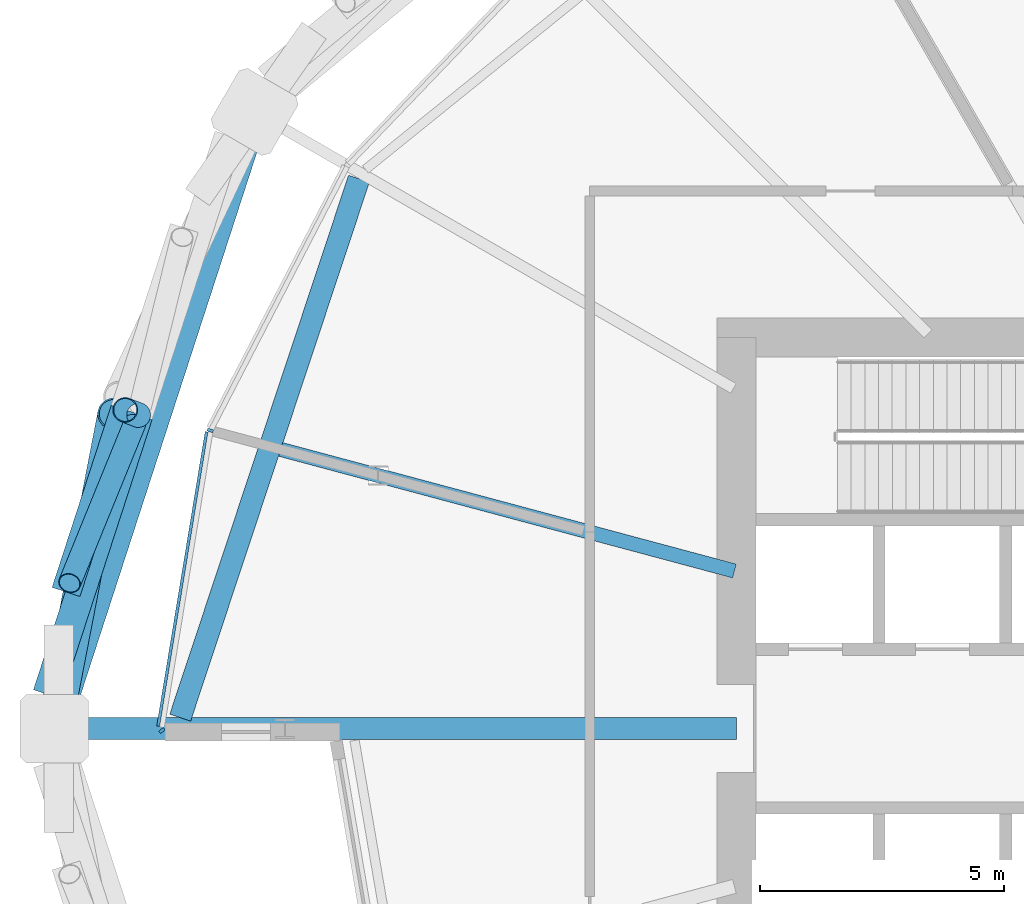
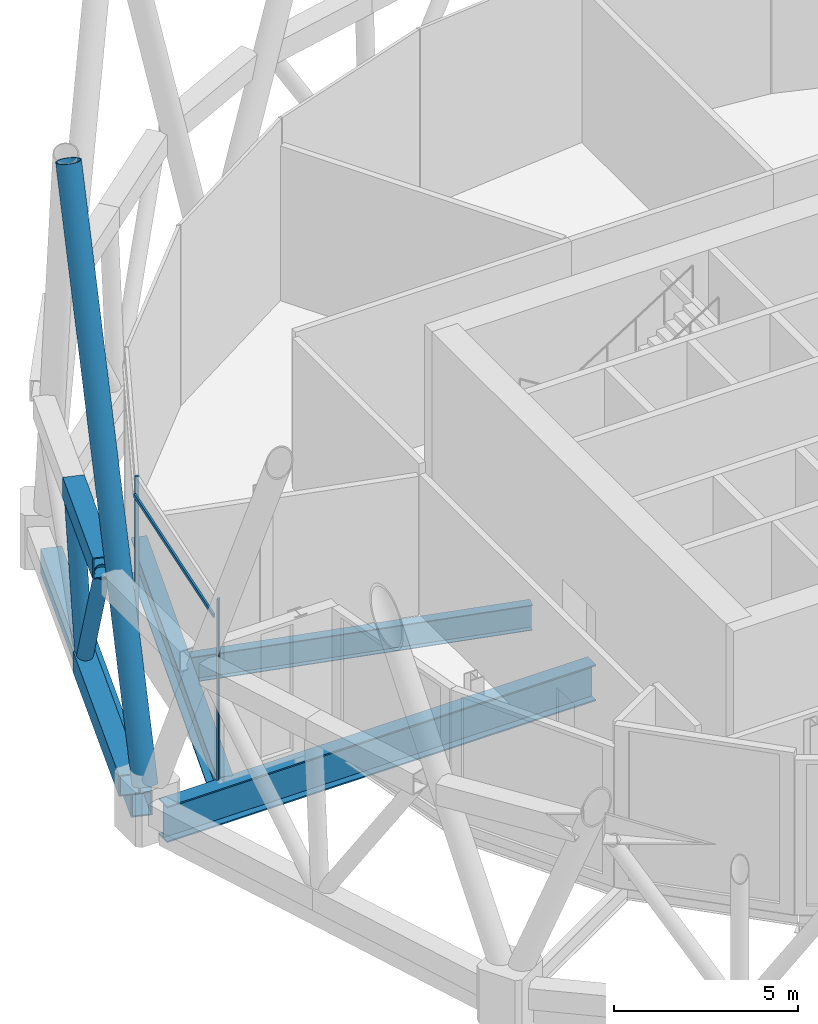
# One storey, part 6 of 33: 8 members, 4 beams, 1 element without a shape of its own.
"""IFC4 building model written with IfcOpenShell, lengths in metres."""

import ifcopenshell
import ifcopenshell.guid

model = None  # the IFC model being written
_history = None  # IfcOwnerHistory: only IFC2X3 demands one
_inside = {}  # id of a spatial element -> (the spatial element, [elements in it])
_under = {}  # id of a project, library or spatial element -> (it, [spatial elements below it])
_declared = {}  # id of a project -> (the project, [libraries it declares])
_typed = {}  # id of a type object -> (the type object, [elements of that type])
_made_of = {}  # id of a material, layer set ... -> (it, [elements and type objects made of it])


def new_model(schema):
    """Start an empty IFC model of exactly this schema.

    Asked for "IFC4X3", IfcOpenShell would pick the latest addendum, in which some entities
    have other attributes; the version numbers below select the first issue.
    IFC2X3 requires an IfcOwnerHistory on every rooted entity: one is made here for all.
    """
    global model, _history
    if schema == "IFC4X3":
        model = ifcopenshell.file(schema_version=(4, 3, 0, 0))
    else:
        model = ifcopenshell.file(schema=schema)
    _inside.clear()
    _under.clear()
    _declared.clear()
    _typed.clear()
    _made_of.clear()
    _history = None
    if model.schema == "IFC2X3":
        org = make("IfcOrganization", Name="unknown")
        user = make(
            "IfcPersonAndOrganization",
            ThePerson=make("IfcPerson", FamilyName="unknown"),
            TheOrganization=org,
        )
        app = make(
            "IfcApplication",
            ApplicationDeveloper=org,
            Version="unknown",
            ApplicationFullName="unknown",
            ApplicationIdentifier="unknown",
        )
        _history = make(
            "IfcOwnerHistory",
            OwningUser=user,
            OwningApplication=app,
            ChangeAction="ADDED",
            CreationDate=0,
        )
    return model


def make(cls, **values):
    """One entity of the class cls with the attributes given. An attribute that is None is left unset."""
    return model.create_entity(
        cls, **{name: value for name, value in values.items() if value is not None}
    )


def rooted(cls, **values):
    """An entity with a GlobalId (a new one), such as an element, a storey or a relation."""
    return make(cls, GlobalId=ifcopenshell.guid.new(), OwnerHistory=_history, **values)


def si_unit(unit_type, name, prefix=None):
    """IfcSIUnit, for example si_unit("LENGTHUNIT", "METRE", prefix="MILLI")."""
    return make("IfcSIUnit", UnitType=unit_type, Prefix=prefix, Name=name)


def assignment(units):
    """IfcUnitAssignment: the units of a project."""
    return None if units is None else make("IfcUnitAssignment", Units=units)


def point(xyz):
    """IfcCartesianPoint."""
    return None if xyz is None else make("IfcCartesianPoint", Coordinates=xyz)


def direction(xyz):
    """IfcDirection."""
    return None if xyz is None else make("IfcDirection", DirectionRatios=xyz)


def frame(location, z_axis=None, x_axis=None):
    """IfcAxis2Placement3D, a coordinate frame: its origin and axes. An axis left out is left unset."""
    return make(
        "IfcAxis2Placement3D",
        Location=point(location),
        Axis=direction(z_axis),
        RefDirection=direction(x_axis),
    )


def frame_2d(location, x_axis=None):
    """IfcAxis2Placement2D, a coordinate frame in the plane: its origin and x axis."""
    return make(
        "IfcAxis2Placement2D", Location=point(location), RefDirection=direction(x_axis)
    )


def origin():
    """The frame at (0, 0, 0) with its axes left unset."""
    return frame((0.0, 0.0, 0.0))


def origin_2d():
    """The frame at (0, 0) in the plane with its x axis left unset."""
    return frame_2d((0.0, 0.0))


def place(relative_to, where):
    """IfcLocalPlacement: puts the frame where relative to a parent placement (None: the world)."""
    return make(
        "IfcLocalPlacement", PlacementRelTo=relative_to, RelativePlacement=where
    )


def context(
    kind, dimensions, precision=None, world=None, true_north=None, identifier=None
):
    """IfcGeometricRepresentationContext, for example the 3D "Model" context."""
    return make(
        "IfcGeometricRepresentationContext",
        ContextIdentifier=identifier,
        ContextType=kind,
        CoordinateSpaceDimension=dimensions,
        Precision=precision,
        WorldCoordinateSystem=world,
        TrueNorth=true_north,
    )


def subcontext(parent, identifier, kind, view, scale=None):
    """IfcGeometricRepresentationSubContext, for example "Body" below "Model"."""
    return make(
        "IfcGeometricRepresentationSubContext",
        ContextIdentifier=identifier,
        ContextType=kind,
        ParentContext=parent,
        TargetScale=scale,
        TargetView=view,
    )


def project(units=None, contexts=None):
    """IfcProject with its units and contexts."""
    return rooted(
        "IfcProject",
        Name="project",
        RepresentationContexts=contexts,
        UnitsInContext=assignment(units),
    )


def spatial(cls, under=None, at=None, **own):
    """A site, building, storey or space (cls), placed at a placement, below another one or the project."""
    s = rooted(cls, ObjectPlacement=at, **own)
    if under is not None:
        _under.setdefault(under.id(), (under, []))[1].append(s)
    return s


def profile(cls, at=None, kind="AREA", **sizes):
    """A parametric profile (cls). Its sizes go by their IFC names, for example OverallWidth=200.0."""
    return make(cls, ProfileType=kind, Position=at, **sizes)


def rectangle(**sizes):
    """IfcRectangleProfileDef."""
    return profile("IfcRectangleProfileDef", **sizes)


def hollow_rectangle(**sizes):
    """IfcRectangleHollowProfileDef."""
    return profile("IfcRectangleHollowProfileDef", **sizes)


def hollow_circle(**sizes):
    """IfcCircleHollowProfileDef."""
    return profile("IfcCircleHollowProfileDef", **sizes)


def i_section(**sizes):
    """IfcIShapeProfileDef."""
    return profile("IfcIShapeProfileDef", **sizes)


def extrude(swept, where, along, depth):
    """IfcExtrudedAreaSolid: the profile swept, set in the frame where, extruded along a direction by depth."""
    return make(
        "IfcExtrudedAreaSolid",
        SweptArea=swept,
        Position=where,
        ExtrudedDirection=direction(along),
        Depth=depth,
    )


def shape(context_of_items, identifier, shape_type, items):
    """IfcShapeRepresentation: the items that make up one representation, for example the "Body"."""
    return make(
        "IfcShapeRepresentation",
        ContextOfItems=context_of_items,
        RepresentationIdentifier=identifier,
        RepresentationType=shape_type,
        Items=items,
    )


def material(Name=None, Category=None):
    """IfcMaterial."""
    return make("IfcMaterial", Name=Name, Category=Category)


def material_profile(
    of_material, cross_section, Name=None, Category=None, Priority=None
):
    """IfcMaterialProfile: a cross section and its material."""
    return make(
        "IfcMaterialProfile",
        Name=Name,
        Material=of_material,
        Profile=cross_section,
        Priority=Priority,
        Category=Category,
    )


def profile_set(profiles, Name=None, composite=None):
    """IfcMaterialProfileSet."""
    return make(
        "IfcMaterialProfileSet",
        Name=Name,
        MaterialProfiles=profiles,
        CompositeProfile=composite,
    )


def made_of(thing, what):
    """Note that an element or type object is made of a material, layer set ...; save() writes the relation."""
    if what is not None:
        _made_of.setdefault(what.id(), (what, []))[1].append(thing)
    return thing


def type_object(cls, material=None, **own):
    """A type object (cls), such as IfcWallType, which elements share."""
    return made_of(rooted(cls, **own), material)


def element(
    cls,
    number,
    at=None,
    inside=None,
    cuts=None,
    type_object=None,
    material=None,
    context=None,
    identifier="Body",
    shape_type=None,
    held_by="IfcProductDefinitionShape",
    body=None,
    shapes=None,
    **own,
):
    """One element of the class cls, such as IfcWall. Its Tag is "e" and its number.

    at: its placement. inside: the storey or other place that contains it. cuts: it is an
    opening in that element (IfcRelVoidsElement). A single representation is given by context,
    identifier, shape_type and body (its items); several are given by shapes. held_by: the class
    of the entity that holds the representations. save() writes the other relations.
    """
    e = rooted(cls, Tag="e%d" % number, ObjectPlacement=at, **own)
    if body is not None:
        shapes = [shape(context, identifier, shape_type, body)]
    if shapes is not None:
        e.Representation = make(held_by, Representations=shapes)
    if inside is not None:
        _inside.setdefault(inside.id(), (inside, []))[1].append(e)
    if cuts is not None:
        rooted(
            "IfcRelVoidsElement", RelatingBuildingElement=cuts, RelatedOpeningElement=e
        )
    if type_object is not None:
        _typed.setdefault(type_object.id(), (type_object, []))[1].append(e)
    return made_of(e, material)


def aggregate(whole, parts):
    """IfcRelAggregates: a whole, such as a stair, and the parts it consists of."""
    return rooted("IfcRelAggregates", RelatingObject=whole, RelatedObjects=parts)


def save(model, path):
    """Write the relations noted so far, then the file.

    IfcRelAggregates (storeys below a building ...), IfcRelContainedInSpatialStructure (elements
    in a storey), IfcRelDefinesByType, IfcRelAssociatesMaterial and IfcRelDeclares: one each for
    every whole, place, type object, material and project.
    """
    for whole, parts in _under.values():
        aggregate(whole, parts)
    for where, things in _inside.values():
        rooted(
            "IfcRelContainedInSpatialStructure",
            RelatedElements=things,
            RelatingStructure=where,
        )
    for kind, things in _typed.values():
        rooted("IfcRelDefinesByType", RelatedObjects=things, RelatingType=kind)
    for what, things in _made_of.values():
        rooted("IfcRelAssociatesMaterial", RelatedObjects=things, RelatingMaterial=what)
    for by, libraries in _declared.values():
        rooted("IfcRelDeclares", RelatingContext=by, RelatedDefinitions=libraries)
    model.write(path)


model = new_model("IFC4")

# Units and contexts
model_context = context("Model", 3, precision=1e-05, world=origin(), true_north=direction((0.0, 1.0)))
body_context = subcontext(model_context, "Body", "Model", "MODEL_VIEW")
ifc_project = project(units=[si_unit("LENGTHUNIT", "METRE"), si_unit("AREAUNIT", "SQUARE_METRE"), si_unit("VOLUMEUNIT", "CUBIC_METRE"), si_unit("PLANEANGLEUNIT", "RADIAN"), si_unit("MASSUNIT", "GRAM", prefix="KILO")], contexts=[model_context])

# Site, building, storey
site_placement = place(None, origin())
site = spatial("IfcSite", under=ifc_project, at=site_placement, CompositionType="ELEMENT")
building_placement = place(site_placement, origin())
building = spatial("IfcBuilding", under=site, at=building_placement, Name="Rimbun Link Towers", CompositionType="ELEMENT")
storey_placement = place(building_placement, frame((0.0, 0.0, 75.60009765625)))
storey = spatial("IfcBuildingStorey", under=building, at=storey_placement, Name="L18", CompositionType="ELEMENT", Elevation=75.60009765625)

# Members
ifc_material_1 = material(Name="Steel S460N", Category="steel")
ifc_material_profile_1 = material_profile(ifc_material_1, hollow_rectangle(XDim=0.60009765625, YDim=0.699951171875, WallThickness=0.034912109375, at=origin_2d()), Name="Belt truss chord BOX 600x700x35")
ifc_profile_set_1 = profile_set([ifc_material_profile_1], Name="Steel S460N")
member_type_1 = type_object("IfcMemberType", Name="Belt truss chord BOX 600x700x35", PredefinedType="CHORD", material=ifc_profile_set_1)
member_1_placement = place(storey_placement, frame((-55.98828125, 6.417236328125, 0.18994140625), z_axis=(-0.309112714811, -0.951025409514, 0.0), x_axis=(0.951025409514, -0.309112714811, 0.0)))
element("IfcMember", 1, at=member_1_placement, inside=storey, type_object=member_type_1, Name="Belt truss chord T1 L18 bottom 11", PredefinedType="CHORD", context=body_context, shape_type="SweptSolid", body=[
    extrude(hollow_rectangle(XDim=0.60009765625, YDim=0.699951171875, WallThickness=0.034912109375, at=origin_2d()), origin(), (0.0, 0.0, 1.0), 6.0087890625),
])
member_2_placement = place(storey_placement, frame((-56.254150390625, 6.521728515625, 6.0), z_axis=(-0.309055057174, -0.9510441481, 0.0), x_axis=(0.9510441481, -0.309055057174, 0.0)))
element("IfcMember", 2, at=member_2_placement, inside=storey, type_object=member_type_1, Name="Belt truss chord T1 L18 top 23", PredefinedType="CHORD", context=body_context, shape_type="SweptSolid", body=[
    extrude(hollow_rectangle(XDim=0.60009765625, YDim=0.699951171875, WallThickness=0.034912109375, at=origin_2d()), origin(), (0.0, 0.0, 1.0), 3.915771484375),
])
ifc_material_2 = material(Name="Steel S355J2H", Category="steel")
ifc_material_profile_2 = material_profile(ifc_material_2, hollow_circle(Radius=0.228515625, WallThickness=0.01611328125, at=origin_2d()), Name="Belt truss diagonal CHS 457x16")
ifc_profile_set_2 = profile_set([ifc_material_profile_2], Name="Steel S355J2H")
member_type_2 = type_object("IfcMemberType", Name="Belt truss diagonal CHS 457x16", PredefinedType="BRACE", material=ifc_profile_set_2)
member_3_placement = place(storey_placement, frame((-56.062255859375, 6.236328125, 0.480224609375), z_axis=(-0.210764797167, -0.51689863139, 0.829695127828), x_axis=(0.925981862555, -0.377567994167, 0.0)))
element("IfcMember", 3, at=member_3_placement, inside=storey, type_object=member_type_2, Name="Belt truss diagonal T1 L18 11", PredefinedType="BRACE", context=body_context, shape_type="SweptSolid", body=[
    extrude(hollow_circle(Radius=0.228515625, WallThickness=0.01611328125, at=origin_2d()), origin(), (0.0, 0.0, 1.0), 6.302734375),
])
ifc_material_3 = material(Name="Steel S355J2H", Category="steel")
ifc_material_profile_3 = material_profile(ifc_material_3, hollow_circle(Radius=0.25390625, WallThickness=0.02001953125, at=origin_2d()), Name="Belt truss strut CHS 508x20")
ifc_profile_set_3 = profile_set([ifc_material_profile_3], Name="Steel S355J2H")
member_type_3 = type_object("IfcMemberType", Name="Belt truss strut CHS 508x20", PredefinedType="STRUT", material=ifc_profile_set_3)
member_4_placement = place(storey_placement, frame((-55.98828125, 6.417236328125, 0.539794921875), z_axis=(-0.051946987184, 0.020416263099, 0.998441128321), x_axis=(-0.365784577752, -0.930699544794, 0.0)))
element("IfcMember", 4, at=member_4_placement, inside=storey, type_object=member_type_3, Name="Belt truss strut T1 L18 05", PredefinedType="STRUT", context=body_context, shape_type="SweptSolid", body=[
    extrude(hollow_circle(Radius=0.25390625, WallThickness=0.02001953125, at=origin_2d()), origin(), (0.0, 0.0, 1.0), 5.1181640625),
])

# Curtain wall, members
ifc_material_4 = material(Name="Aluminium 6063-T6 louvre wall", Category="aluminium")
curtain_wall_type = type_object("IfcCurtainWallType", Name="CW6 plant floor louvre wall", PredefinedType="NOTDEFINED", material=ifc_material_4)
curtain_wall_placement = place(storey_placement, origin())
curtain_wall = element("IfcCurtainWall", 5, at=curtain_wall_placement, inside=storey, type_object=curtain_wall_type, Name="CW6 L18 T1", PredefinedType="NOTDEFINED")
ifc_material_5 = material(Name="Aluminium 6063-T6", Category="aluminium")
ifc_material_profile_4 = material_profile(ifc_material_5, rectangle(XDim=0.1201171875, YDim=0.06005859375, at=origin_2d()), Name="MULLION 60X120")
ifc_profile_set_4 = profile_set([ifc_material_profile_4], Name="Aluminium 6063-T6")
member_type_4 = type_object("IfcMemberType", Name="CW6 mullion 60X120", PredefinedType="MULLION", material=ifc_profile_set_4)
member_5_placement = place(storey_placement, frame((-54.512451171875, 6.102783203125, 0.0), z_axis=(0.0, 0.0, 1.0), x_axis=(-0.949163398776, 0.314783802672, 0.0)))
member_5 = element("IfcMember", 6, at=member_5_placement, type_object=member_type_4, Name="CW6 mullion", PredefinedType="MULLION", context=body_context, shape_type="SweptSolid", body=[
    extrude(rectangle(XDim=0.1201171875, YDim=0.06005859375, at=origin_2d()), origin(), (0.0, 0.0, 1.0), 6.0),
])
member_6_placement = place(storey_placement, frame((-55.501708984375, -0.038818359375, 0.0), z_axis=(0.0, 0.0, 1.0), x_axis=(-0.762317210423, -0.647203577473, 0.0)))
member_6 = element("IfcMember", 7, at=member_6_placement, type_object=member_type_4, Name="CW6 mullion", PredefinedType="MULLION", context=body_context, shape_type="SweptSolid", body=[
    extrude(rectangle(XDim=0.1201171875, YDim=0.06005859375, at=origin_2d()), origin(), (0.0, 0.0, 1.0), 6.0),
])
ifc_material_6 = material(Name="Aluminium 6063-T6", Category="aluminium")
ifc_material_profile_5 = material_profile(ifc_material_6, rectangle(XDim=0.06005859375, YDim=0.1201171875, at=origin_2d()), Name="TRANSOM 60X120")
ifc_profile_set_5 = profile_set([ifc_material_profile_5], Name="Aluminium 6063-T6")
member_type_5 = type_object("IfcMemberType", Name="CW6 transom 60X120", PredefinedType="USERDEFINED", material=ifc_profile_set_5)
member_7_placement = place(storey_placement, frame((-55.579345703125, 0.05078125, 5.39990234375), z_axis=(0.162265268328, 0.986747172631, 0.0), x_axis=(-0.986747172631, 0.162265268328, 0.0)))
member_7 = element("IfcMember", 8, at=member_7_placement, type_object=member_type_5, Name="CW6 transom", ObjectType="TRANSOM", PredefinedType="USERDEFINED", context=body_context, shape_type="SweptSolid", body=[
    extrude(rectangle(XDim=0.06005859375, YDim=0.1201171875, at=origin_2d()), origin(), (0.0, 0.0, 1.0), 6.10546875),
])
aggregate(curtain_wall, [member_5, member_6, member_7])

# Member
ifc_material_7 = material(Name="Steel S460NH", Category="steel")
ifc_material_profile_6 = material_profile(ifc_material_7, hollow_circle(Radius=0.355712890625, WallThickness=0.031982421875, at=origin_2d()), Name="Diagrid diagonal CHS 711x32")
ifc_profile_set_6 = profile_set([ifc_material_profile_6], Name="Steel S460NH")
member_type_6 = type_object("IfcMemberType", Name="Diagrid diagonal CHS 711x32", PredefinedType="BRACE", material=ifc_profile_set_6)
member_8_placement = place(storey_placement, frame((-57.671630859375, 0.17724609375, 0.46630859375), z_axis=(0.068592129446, 0.354381146913, 0.932581965561), x_axis=(-0.981778697984, 0.190027861601, 0.0)))
element("IfcMember", 9, at=member_8_placement, inside=storey, type_object=member_type_6, Name="Diagrid diagonal T1 L18-L22 12a", PredefinedType="BRACE", context=body_context, shape_type="SweptSolid", body=[
    extrude(hollow_circle(Radius=0.355712890625, WallThickness=0.031982421875, at=origin_2d()), origin(), (0.0, 0.0, 1.0), 17.65771484375),
])

# Beams
ifc_material_8 = material(Name="Steel S355J2", Category="steel")
ifc_material_profile_7 = material_profile(ifc_material_8, hollow_rectangle(XDim=0.60009765625, YDim=0.800048828125, WallThickness=0.0400390625, at=origin_2d()), Name="Exoskeleton ring girder BOX 600x800x40")
ifc_profile_set_7 = profile_set([ifc_material_profile_7], Name="Steel S355J2")
beam_type_1 = type_object("IfcBeamType", Name="Exoskeleton ring girder BOX 600x800x40", PredefinedType="BEAM", material=ifc_profile_set_7)
beam_1_placement = place(storey_placement, frame((-53.821533203125, 11.952392578125, -0.56005859375), z_axis=(-0.309072117374, -0.951038603981, 0.0), x_axis=(0.951038603981, -0.309072117374, 0.0)))
element("IfcBeam", 10, at=beam_1_placement, inside=storey, type_object=beam_type_1, Name="Exoskeleton ring girder L18 05", PredefinedType="BEAM", context=body_context, shape_type="SweptSolid", body=[
    extrude(hollow_rectangle(XDim=0.60009765625, YDim=0.800048828125, WallThickness=0.0400390625, at=origin_2d()), origin(), (0.0, 0.0, 1.0), 11.86767578125),
])
ifc_material_9 = material(Name="Steel S355J2", Category="steel")
ifc_material_profile_8 = material_profile(ifc_material_9, i_section(OverallWidth=0.449951171875, OverallDepth=1.199951171875, WebThickness=0.030029296875, FlangeThickness=0.044921875, at=origin_2d()), Name="PG 1200x450x30/45")
ifc_profile_set_8 = profile_set([ifc_material_profile_8], Name="Steel S355J2")
beam_type_2 = type_object("IfcBeamType", Name="PG 1200x450x30/45", PredefinedType="BEAM", material=ifc_profile_set_8)
beam_2_placement = place(storey_placement, frame((-43.7509765625, 0.0, -0.800048828125), z_axis=(-1.0, 0.0, 0.0), x_axis=(0.0, -1.0, 0.0)))
element("IfcBeam", 11, at=beam_2_placement, inside=storey, type_object=beam_type_2, Name="Radial beam T1 L18 12", PredefinedType="BEAM", context=body_context, shape_type="SweptSolid", body=[
    extrude(i_section(OverallWidth=0.449951171875, OverallDepth=1.199951171875, WebThickness=0.030029296875, FlangeThickness=0.044921875, at=origin_2d()), origin(), (0.0, 0.0, 1.0), 13.454833984375),
])
beam_3_placement = place(storey_placement, frame((-51.470703125, 11.253173828125, -0.800048828125), z_axis=(-0.314771112106, -0.949167607424, 0.0), x_axis=(0.949167607424, -0.314771112106, 0.0)))
element("IfcBeam", 12, at=beam_3_placement, inside=storey, type_object=beam_type_2, Name="Edge beam T1 L18 10-12", PredefinedType="BEAM", context=body_context, shape_type="SweptSolid", body=[
    extrude(i_section(OverallWidth=0.449951171875, OverallDepth=1.199951171875, WebThickness=0.030029296875, FlangeThickness=0.044921875, at=origin_2d()), origin(), (0.0, 0.0, 1.0), 11.617919921875),
])
ifc_material_10 = material(Name="Steel S355J2", Category="steel")
ifc_material_profile_9 = material_profile(ifc_material_10, i_section(OverallWidth=0.29248046875, OverallDepth=0.8408203125, WebThickness=0.0126953125, FlangeThickness=0.021728515625, at=origin_2d()), Name="UB 838x292x194")
ifc_profile_set_9 = profile_set([ifc_material_profile_9], Name="Steel S355J2")
beam_type_3 = type_object("IfcBeamType", Name="UB 838x292x194", PredefinedType="BEAM", material=ifc_profile_set_9)
beam_4_placement = place(storey_placement, frame((-43.788818359375, 3.225830078125, -0.62060546875), z_axis=(-0.965926388782, 0.258816945841, 0.0), x_axis=(-0.258816945841, -0.965926388782, 0.0)))
element("IfcBeam", 13, at=beam_4_placement, inside=storey, type_object=beam_type_3, Name="Radial beam T1 L18 11", PredefinedType="BEAM", context=body_context, shape_type="SweptSolid", body=[
    extrude(i_section(OverallWidth=0.29248046875, OverallDepth=0.8408203125, WebThickness=0.0126953125, FlangeThickness=0.021728515625, at=origin_2d()), origin(), (0.0, 0.0, 1.0), 9.6083984375),
])

save(model, "model.ifc")
